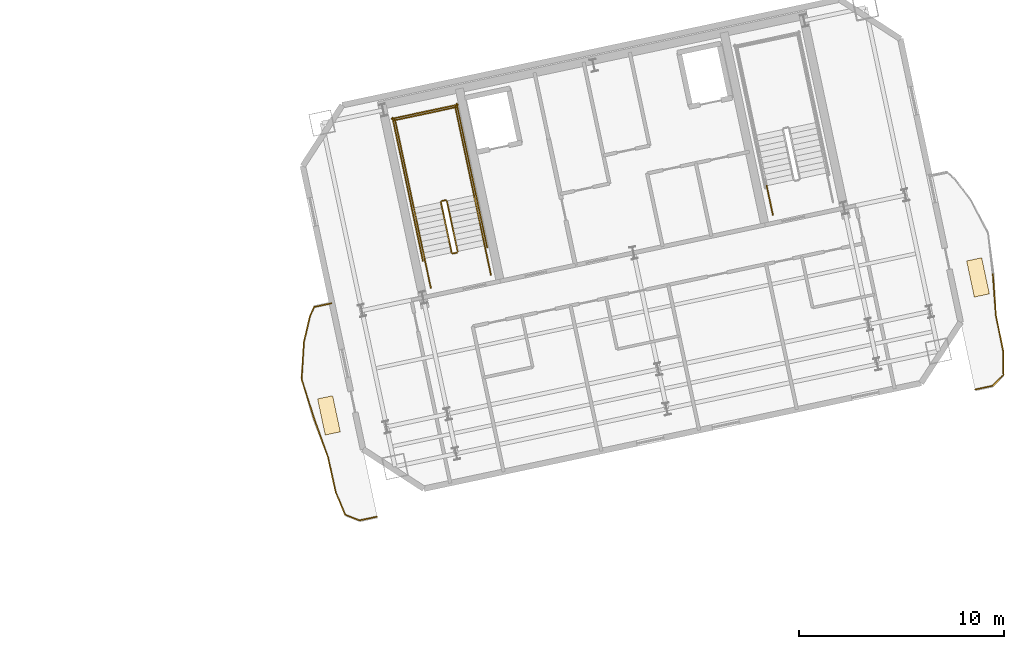
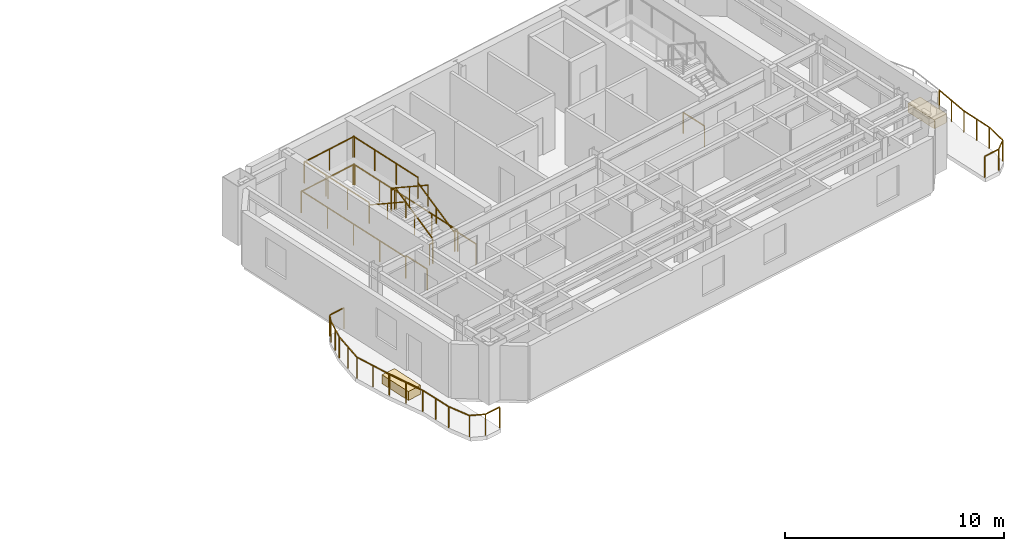
# One storey, part 13 of 14: 30 railings, 2 coverings.
"""IFC4 building model written with IfcOpenShell, lengths in metres."""

from ifc_helpers import new_model, si_unit, direction, frame, origin, origin_2d, place, context, subcontext, project, spatial, rectangle, extrude, material, layer, layer_set, type_object, element, save


model = new_model("IFC4")

# Units and contexts
model_context = context("Model", 3, precision=1e-05, world=origin(), true_north=direction((0.0, 1.0)))
body_context = subcontext(model_context, "Body", "Model", "MODEL_VIEW")
ifc_project = project(units=[si_unit("LENGTHUNIT", "METRE"), si_unit("AREAUNIT", "SQUARE_METRE"), si_unit("VOLUMEUNIT", "CUBIC_METRE"), si_unit("PLANEANGLEUNIT", "RADIAN"), si_unit("MASSUNIT", "GRAM", prefix="KILO")], contexts=[model_context])

# Site, building, storey
site_placement = place(None, origin())
site = spatial("IfcSite", under=ifc_project, at=site_placement, CompositionType="ELEMENT")
building_placement = place(site_placement, origin())
building = spatial("IfcBuilding", under=site, at=building_placement, Name="Haevon Station Towers", CompositionType="ELEMENT")
storey_placement = place(building_placement, frame((0.0, 0.0, 212.10009765625)))
storey = spatial("IfcBuildingStorey", under=building, at=storey_placement, Name="L58", CompositionType="ELEMENT", Elevation=212.10009765625)

# Railings
ifc_material_1 = material(Name="Steel S355", Category="steel")
railing_type_1 = type_object("IfcRailingType", Name="GRD-EXT1200", PredefinedType="GUARDRAIL", material=ifc_material_1)
railing_1_placement = place(storey_placement, frame((94.2890625, 37.16552734375, 0.0)))
element("IfcRailing", 1, at=railing_1_placement, inside=storey, type_object=railing_type_1, Name="L58 Perimeter Guardrail 1", PredefinedType="GUARDRAIL", context=body_context, shape_type="SweptSolid", body=[
    extrude(rectangle(XDim=0.048095703125, YDim=0.048095703125, at=origin_2d()), frame((0.0, 0.0, 1.17578125), z_axis=(-0.977695451476, -0.210027627141, 0.0), x_axis=(0.210027627141, -0.977695451476, 0.0)), (0.0, 0.0, 1.0), 0.869384765625),
    extrude(rectangle(XDim=0.0419921875, YDim=0.0419921875, at=origin_2d()), origin(), (0.0, 0.0, 1.0), 1.15185546875),
    extrude(rectangle(XDim=0.0419921875, YDim=0.0419921875, at=origin_2d()), frame((-0.85009765625, -0.1826171875, 0.0)), (0.0, 0.0, 1.0), 1.15185546875),
])
railing_2_placement = place(storey_placement, frame((93.43896484375, 36.98291015625, 0.0)))
element("IfcRailing", 2, at=railing_2_placement, inside=storey, type_object=railing_type_1, Name="L58 Perimeter Guardrail 2", PredefinedType="GUARDRAIL", context=body_context, shape_type="SweptSolid", body=[
    extrude(rectangle(XDim=0.048095703125, YDim=0.048095703125, at=origin_2d()), frame((0.0, 0.0, 1.17578125), z_axis=(-0.406806804169, -0.913514216683, 0.0), x_axis=(0.913514216683, -0.406806804169, 0.0)), (0.0, 0.0, 1.0), 0.50830078125),
    extrude(rectangle(XDim=0.0419921875, YDim=0.0419921875, at=origin_2d()), origin(), (0.0, 0.0, 1.0), 1.15185546875),
    extrude(rectangle(XDim=0.0419921875, YDim=0.0419921875, at=origin_2d()), frame((-0.206787109375, -0.46435546875, 0.0)), (0.0, 0.0, 1.0), 1.15185546875),
])
railing_3_placement = place(storey_placement, frame((93.232177734375, 36.5185546875, 0.0)))
element("IfcRailing", 3, at=railing_3_placement, inside=storey, type_object=railing_type_1, Name="L58 Perimeter Guardrail 3", PredefinedType="GUARDRAIL", context=body_context, shape_type="SweptSolid", body=[
    extrude(rectangle(XDim=0.048095703125, YDim=0.048095703125, at=origin_2d()), frame((0.0, 0.0, 1.17578125), z_axis=(-0.225867086442, -0.974158128469, 0.0), x_axis=(0.974158128469, -0.225867086442, 0.0)), (0.0, 0.0, 1.0), 1.291748046875),
    extrude(rectangle(XDim=0.0419921875, YDim=0.0419921875, at=origin_2d()), origin(), (0.0, 0.0, 1.0), 1.15185546875),
    extrude(rectangle(XDim=0.0419921875, YDim=0.0419921875, at=origin_2d()), frame((-0.14599609375, -0.629150390625, 0.0)), (0.0, 0.0, 1.0), 1.15185546875),
    extrude(rectangle(XDim=0.0419921875, YDim=0.0419921875, at=origin_2d()), frame((-0.291748046875, -1.25830078125, 0.0)), (0.0, 0.0, 1.0), 1.15185546875),
])
railing_4_placement = place(storey_placement, frame((92.9404296875, 35.26025390625, 0.0)))
element("IfcRailing", 4, at=railing_4_placement, inside=storey, type_object=railing_type_1, Name="L58 Perimeter Guardrail 4", PredefinedType="GUARDRAIL", context=body_context, shape_type="SweptSolid", body=[
    extrude(rectangle(XDim=0.048095703125, YDim=0.048095703125, at=origin_2d()), frame((0.0, 0.0, 1.17578125), z_axis=(-0.060153002189, -0.998189168609, 0.0), x_axis=(0.998189168609, -0.060153002189, 0.0)), (0.0, 0.0, 1.0), 1.81005859375),
    extrude(rectangle(XDim=0.0419921875, YDim=0.0419921875, at=origin_2d()), origin(), (0.0, 0.0, 1.0), 1.15185546875),
    extrude(rectangle(XDim=0.0419921875, YDim=0.0419921875, at=origin_2d()), frame((-0.054443359375, -0.9033203125, 0.0)), (0.0, 0.0, 1.0), 1.15185546875),
    extrude(rectangle(XDim=0.0419921875, YDim=0.0419921875, at=origin_2d()), frame((-0.10888671875, -1.806884765625, 0.0)), (0.0, 0.0, 1.0), 1.15185546875),
])
railing_5_placement = place(storey_placement, frame((92.83154296875, 33.453369140625, 0.0)))
element("IfcRailing", 5, at=railing_5_placement, inside=storey, type_object=railing_type_1, Name="L58 Perimeter Guardrail 5", PredefinedType="GUARDRAIL", context=body_context, shape_type="SweptSolid", body=[
    extrude(rectangle(XDim=0.048095703125, YDim=0.048095703125, at=origin_2d()), frame((0.0, 0.0, 1.17578125), z_axis=(0.302524668593, -0.953141555538, 0.0), x_axis=(0.953141555538, 0.302524668593, 0.0)), (0.0, 0.0, 1.0), 2.00390625),
    extrude(rectangle(XDim=0.0419921875, YDim=0.0419921875, at=origin_2d()), origin(), (0.0, 0.0, 1.0), 1.15185546875),
    extrude(rectangle(XDim=0.0419921875, YDim=0.0419921875, at=origin_2d()), frame((0.30322265625, -0.955078125, 0.0)), (0.0, 0.0, 1.0), 1.15185546875),
    extrude(rectangle(XDim=0.0419921875, YDim=0.0419921875, at=origin_2d()), frame((0.606201171875, -1.909912109375, 0.0)), (0.0, 0.0, 1.0), 1.15185546875),
])
railing_6_placement = place(storey_placement, frame((93.437744140625, 31.54345703125, 0.0)))
element("IfcRailing", 6, at=railing_6_placement, inside=storey, type_object=railing_type_1, Name="L58 Perimeter Guardrail 6", PredefinedType="GUARDRAIL", context=body_context, shape_type="SweptSolid", body=[
    extrude(rectangle(XDim=0.048095703125, YDim=0.048095703125, at=origin_2d()), frame((0.0, 0.0, 1.17578125), z_axis=(0.339231961265, -0.940702756696, 0.0), x_axis=(0.940702756696, 0.339231961265, 0.0)), (0.0, 0.0, 1.0), 2.00732421875),
    extrude(rectangle(XDim=0.0419921875, YDim=0.0419921875, at=origin_2d()), origin(), (0.0, 0.0, 1.0), 1.15185546875),
    extrude(rectangle(XDim=0.0419921875, YDim=0.0419921875, at=origin_2d()), frame((0.34033203125, -0.944091796875, 0.0)), (0.0, 0.0, 1.0), 1.15185546875),
    extrude(rectangle(XDim=0.0419921875, YDim=0.0419921875, at=origin_2d()), frame((0.680908203125, -1.88818359375, 0.0)), (0.0, 0.0, 1.0), 1.15185546875),
])
railing_7_placement = place(storey_placement, frame((94.11865234375, 29.6552734375, 0.0)))
element("IfcRailing", 7, at=railing_7_placement, inside=storey, type_object=railing_type_1, Name="L58 Perimeter Guardrail 7", PredefinedType="GUARDRAIL", context=body_context, shape_type="SweptSolid", body=[
    extrude(rectangle(XDim=0.048095703125, YDim=0.048095703125, at=origin_2d()), frame((0.0, 0.0, 1.17578125), z_axis=(0.215069312973, -0.976598786922, 0.0), x_axis=(0.976598786922, 0.215069312973, 0.0)), (0.0, 0.0, 1.0), 1.75048828125),
    extrude(rectangle(XDim=0.0419921875, YDim=0.0419921875, at=origin_2d()), origin(), (0.0, 0.0, 1.0), 1.15185546875),
    extrude(rectangle(XDim=0.0419921875, YDim=0.0419921875, at=origin_2d()), frame((0.188232421875, -0.854736328125, 0.0)), (0.0, 0.0, 1.0), 1.15185546875),
    extrude(rectangle(XDim=0.0419921875, YDim=0.0419921875, at=origin_2d()), frame((0.37646484375, -1.70947265625, 0.0)), (0.0, 0.0, 1.0), 1.15185546875),
])
railing_8_placement = place(storey_placement, frame((94.4951171875, 27.94580078125, 0.0)))
element("IfcRailing", 8, at=railing_8_placement, inside=storey, type_object=railing_type_1, Name="L58 Perimeter Guardrail 8", PredefinedType="GUARDRAIL", context=body_context, shape_type="SweptSolid", body=[
    extrude(rectangle(XDim=0.048095703125, YDim=0.048095703125, at=origin_2d()), frame((0.0, 0.0, 1.17578125), z_axis=(0.389860525795, -0.920873916683, 0.0), x_axis=(0.920873916683, 0.389860525795, 0.0)), (0.0, 0.0, 1.0), 1.191650390625),
    extrude(rectangle(XDim=0.0419921875, YDim=0.0419921875, at=origin_2d()), origin(), (0.0, 0.0, 1.0), 1.15185546875),
    extrude(rectangle(XDim=0.0419921875, YDim=0.0419921875, at=origin_2d()), frame((0.464599609375, -1.097412109375, 0.0)), (0.0, 0.0, 1.0), 1.15185546875),
])
railing_9_placement = place(storey_placement, frame((94.959716796875, 26.848388671875, 0.0)))
element("IfcRailing", 9, at=railing_9_placement, inside=storey, type_object=railing_type_1, Name="L58 Perimeter Guardrail 9", PredefinedType="GUARDRAIL", context=body_context, shape_type="SweptSolid", body=[
    extrude(rectangle(XDim=0.048095703125, YDim=0.048095703125, at=origin_2d()), frame((0.0, 0.0, 1.17578125), z_axis=(0.929918939499, -0.367764552344, 0.0), x_axis=(0.367764552344, 0.929918939499, 0.0)), (0.0, 0.0, 1.0), 0.743408203125),
    extrude(rectangle(XDim=0.0419921875, YDim=0.0419921875, at=origin_2d()), origin(), (0.0, 0.0, 1.0), 1.15185546875),
    extrude(rectangle(XDim=0.0419921875, YDim=0.0419921875, at=origin_2d()), frame((0.69140625, -0.2734375, 0.0)), (0.0, 0.0, 1.0), 1.15185546875),
])
railing_10_placement = place(storey_placement, frame((95.651123046875, 26.574951171875, 0.0)))
element("IfcRailing", 10, at=railing_10_placement, inside=storey, type_object=railing_type_1, Name="L58 Perimeter Guardrail 10", PredefinedType="GUARDRAIL", context=body_context, shape_type="SweptSolid", body=[
    extrude(rectangle(XDim=0.048095703125, YDim=0.048095703125, at=origin_2d()), frame((0.0, 0.0, 1.17578125), z_axis=(0.978588498747, 0.205826504901, 0.0), x_axis=(-0.205826504901, 0.978588498747, 0.0)), (0.0, 0.0, 1.0), 0.869384765625),
    extrude(rectangle(XDim=0.0419921875, YDim=0.0419921875, at=origin_2d()), origin(), (0.0, 0.0, 1.0), 1.15185546875),
    extrude(rectangle(XDim=0.0419921875, YDim=0.0419921875, at=origin_2d()), frame((0.850830078125, 0.178955078125, 0.0)), (0.0, 0.0, 1.0), 1.15185546875),
])
railing_11_placement = place(storey_placement, frame((125.69677734375, 32.959228515625, 0.0)))
element("IfcRailing", 11, at=railing_11_placement, inside=storey, type_object=railing_type_1, Name="L58 Perimeter Guardrail 1", PredefinedType="GUARDRAIL", context=body_context, shape_type="SweptSolid", body=[
    extrude(rectangle(XDim=0.048095703125, YDim=0.048095703125, at=origin_2d()), frame((0.0, 0.0, 1.17578125), z_axis=(0.977625338711, 0.210353742802, 0.0), x_axis=(-0.210353742802, 0.977625338711, 0.0)), (0.0, 0.0, 1.0), 0.869384765625),
    extrude(rectangle(XDim=0.0419921875, YDim=0.0419921875, at=origin_2d()), origin(), (0.0, 0.0, 1.0), 1.15185546875),
    extrude(rectangle(XDim=0.0419921875, YDim=0.0419921875, at=origin_2d()), frame((0.849853515625, 0.182861328125, 0.0)), (0.0, 0.0, 1.0), 1.15185546875),
])
railing_12_placement = place(storey_placement, frame((126.546630859375, 33.14208984375, 0.0)))
element("IfcRailing", 12, at=railing_12_placement, inside=storey, type_object=railing_type_1, Name="L58 Perimeter Guardrail 2", PredefinedType="GUARDRAIL", context=body_context, shape_type="SweptSolid", body=[
    extrude(rectangle(XDim=0.048095703125, YDim=0.048095703125, at=origin_2d()), frame((0.0, 0.0, 1.17578125), z_axis=(0.700176474899, 0.713969820089, 0.0), x_axis=(-0.713969820089, 0.700176474899, 0.0)), (0.0, 0.0, 1.0), 0.743408203125),
    extrude(rectangle(XDim=0.0419921875, YDim=0.0419921875, at=origin_2d()), origin(), (0.0, 0.0, 1.0), 1.15185546875),
    extrude(rectangle(XDim=0.0419921875, YDim=0.0419921875, at=origin_2d()), frame((0.5205078125, 0.53076171875, 0.0)), (0.0, 0.0, 1.0), 1.15185546875),
])
railing_13_placement = place(storey_placement, frame((127.067138671875, 33.6728515625, 0.0)))
element("IfcRailing", 13, at=railing_13_placement, inside=storey, type_object=railing_type_1, Name="L58 Perimeter Guardrail 3", PredefinedType="GUARDRAIL", context=body_context, shape_type="SweptSolid", body=[
    extrude(rectangle(XDim=0.048095703125, YDim=0.048095703125, at=origin_2d()), frame((0.0, 0.0, 1.17578125), z_axis=(-0.018435710778, 0.999830047842, 0.0), x_axis=(-0.999830047842, -0.018435710778, 0.0)), (0.0, 0.0, 1.0), 1.19189453125),
    extrude(rectangle(XDim=0.0419921875, YDim=0.0419921875, at=origin_2d()), origin(), (0.0, 0.0, 1.0), 1.15185546875),
    extrude(rectangle(XDim=0.0419921875, YDim=0.0419921875, at=origin_2d()), frame((-0.02197265625, 1.191650390625, 0.0)), (0.0, 0.0, 1.0), 1.15185546875),
])
railing_14_placement = place(storey_placement, frame((127.045166015625, 34.864501953125, 0.0)))
element("IfcRailing", 14, at=railing_14_placement, inside=storey, type_object=railing_type_1, Name="L58 Perimeter Guardrail 4", PredefinedType="GUARDRAIL", context=body_context, shape_type="SweptSolid", body=[
    extrude(rectangle(XDim=0.048095703125, YDim=0.048095703125, at=origin_2d()), frame((0.0, 0.0, 1.17578125), z_axis=(-0.200700479152, 0.979652651539, 0.0), x_axis=(-0.979652651539, -0.200700479152, 0.0)), (0.0, 0.0, 1.0), 1.75048828125),
    extrude(rectangle(XDim=0.0419921875, YDim=0.0419921875, at=origin_2d()), origin(), (0.0, 0.0, 1.0), 1.15185546875),
    extrude(rectangle(XDim=0.0419921875, YDim=0.0419921875, at=origin_2d()), frame((-0.17578125, 0.857421875, 0.0)), (0.0, 0.0, 1.0), 1.15185546875),
    extrude(rectangle(XDim=0.0419921875, YDim=0.0419921875, at=origin_2d()), frame((-0.351318359375, 1.71484375, 0.0)), (0.0, 0.0, 1.0), 1.15185546875),
])
railing_15_placement = place(storey_placement, frame((126.69384765625, 36.579345703125, 0.0)))
element("IfcRailing", 15, at=railing_15_placement, inside=storey, type_object=railing_type_1, Name="L58 Perimeter Guardrail 5", PredefinedType="GUARDRAIL", context=body_context, shape_type="SweptSolid", body=[
    extrude(rectangle(XDim=0.048095703125, YDim=0.048095703125, at=origin_2d()), frame((0.0, 0.0, 1.17578125), z_axis=(-0.072733675174, 0.997351398703, 0.0), x_axis=(-0.997351398703, -0.072733675174, 0.0)), (0.0, 0.0, 1.0), 2.00732421875),
    extrude(rectangle(XDim=0.0419921875, YDim=0.0419921875, at=origin_2d()), origin(), (0.0, 0.0, 1.0), 1.15185546875),
    extrude(rectangle(XDim=0.0419921875, YDim=0.0419921875, at=origin_2d()), frame((-0.072998046875, 1.0009765625, 0.0)), (0.0, 0.0, 1.0), 1.15185546875),
    extrude(rectangle(XDim=0.0419921875, YDim=0.0419921875, at=origin_2d()), frame((-0.14599609375, 2.001953125, 0.0)), (0.0, 0.0, 1.0), 1.15185546875),
])
railing_type_2 = type_object("IfcRailingType", Name="GRD-STR1200", PredefinedType="GUARDRAIL", material=ifc_material_1)
railing_16_placement = place(storey_placement, frame((100.44140625, 39.69287109375, 0.164794921875)))
element("IfcRailing", 16, at=railing_16_placement, inside=storey, type_object=railing_type_2, Name="L58 ST3 Stair Guard 1", PredefinedType="GUARDRAIL", context=body_context, shape_type="SweptSolid", body=[
    extrude(rectangle(XDim=0.048095703125, YDim=0.048095703125, at=origin_2d()), frame((0.0, 0.0, 1.17578125), z_axis=(-0.179121265225, 0.842687928106, 0.507732831485), x_axis=(-0.978147030254, -0.207914374695, 0.0)), (0.0, 0.0, 1.0), 2.925048828125),
    extrude(rectangle(XDim=0.0419921875, YDim=0.0419921875, at=origin_2d()), origin(), (0.0, 0.0, 1.0), 1.15185546875),
    extrude(rectangle(XDim=0.0419921875, YDim=0.0419921875, at=origin_2d()), frame((-0.261962890625, 1.232421875, 0.74267578125)), (0.0, 0.0, 1.0), 1.15185546875),
    extrude(rectangle(XDim=0.0419921875, YDim=0.0419921875, at=origin_2d()), frame((-0.52392578125, 2.46484375, 1.485107421875)), (0.0, 0.0, 1.0), 1.15185546875),
])
railing_17_placement = place(storey_placement, frame((99.858154296875, 42.1962890625, 1.64990234375)))
element("IfcRailing", 17, at=railing_17_placement, inside=storey, type_object=railing_type_2, Name="L58 ST3 Stair Guard 2", PredefinedType="GUARDRAIL", context=body_context, shape_type="SweptSolid", body=[
    extrude(rectangle(XDim=0.048095703125, YDim=0.048095703125, at=origin_2d()), frame((0.0, 0.0, 1.17578125), z_axis=(-0.977962931203, -0.208778603291, 0.0), x_axis=(0.208778603291, -0.977962931203, 0.0)), (0.0, 0.0, 1.0), 0.199951171875),
    extrude(rectangle(XDim=0.0419921875, YDim=0.0419921875, at=origin_2d()), origin(), (0.0, 0.0, 1.0), 1.15185546875),
    extrude(rectangle(XDim=0.0419921875, YDim=0.0419921875, at=origin_2d()), frame((-0.195556640625, -0.041748046875, 0.0)), (0.0, 0.0, 1.0), 1.15185546875),
])
railing_18_placement = place(storey_placement, frame((101.238037109375, 42.4384765625, 1.64990234375)))
element("IfcRailing", 18, at=railing_18_placement, inside=storey, type_object=railing_type_2, Name="L58 ST3 Stair Guard 3", PredefinedType="GUARDRAIL", context=body_context, shape_type="SweptSolid", body=[
    extrude(rectangle(XDim=0.048095703125, YDim=0.048095703125, at=origin_2d()), frame((0.0, 0.0, 1.17578125), z_axis=(-0.20794048909, 0.978141479029, 0.0), x_axis=(-0.978141479029, -0.20794048909, 0.0)), (0.0, 0.0, 1.0), 4.429931640625),
    extrude(rectangle(XDim=0.0419921875, YDim=0.0419921875, at=origin_2d()), origin(), (0.0, 0.0, 1.0), 1.15185546875),
    extrude(rectangle(XDim=0.0419921875, YDim=0.0419921875, at=origin_2d()), frame((-0.30712890625, 1.4443359375, 0.0)), (0.0, 0.0, 1.0), 1.15185546875),
    extrude(rectangle(XDim=0.0419921875, YDim=0.0419921875, at=origin_2d()), frame((-0.614013671875, 2.888671875, 0.0)), (0.0, 0.0, 1.0), 1.15185546875),
    extrude(rectangle(XDim=0.0419921875, YDim=0.0419921875, at=origin_2d()), frame((-0.921142578125, 4.3330078125, 0.0)), (0.0, 0.0, 1.0), 1.15185546875),
])
railing_19_placement = place(storey_placement, frame((98.303466796875, 41.814697265625, 1.64990234375)))
element("IfcRailing", 19, at=railing_19_placement, inside=storey, type_object=railing_type_2, Name="L58 ST3 Stair Guard 4", PredefinedType="GUARDRAIL", context=body_context, shape_type="SweptSolid", body=[
    extrude(rectangle(XDim=0.048095703125, YDim=0.048095703125, at=origin_2d()), frame((0.0, 0.0, 1.17578125), z_axis=(-0.207876551949, 0.978155069071, 0.0), x_axis=(-0.978155069071, -0.207876551949, 0.0)), (0.0, 0.0, 1.0), 4.429931640625),
    extrude(rectangle(XDim=0.0419921875, YDim=0.0419921875, at=origin_2d()), origin(), (0.0, 0.0, 1.0), 1.15185546875),
    extrude(rectangle(XDim=0.0419921875, YDim=0.0419921875, at=origin_2d()), frame((-0.306884765625, 1.4443359375, 0.0)), (0.0, 0.0, 1.0), 1.15185546875),
    extrude(rectangle(XDim=0.0419921875, YDim=0.0419921875, at=origin_2d()), frame((-0.614013671875, 2.888916015625, 0.0)), (0.0, 0.0, 1.0), 1.15185546875),
    extrude(rectangle(XDim=0.0419921875, YDim=0.0419921875, at=origin_2d()), frame((-0.9208984375, 4.333251953125, 0.0)), (0.0, 0.0, 1.0), 1.15185546875),
])
railing_20_placement = place(storey_placement, frame((100.376220703125, 46.733154296875, 1.64990234375)))
element("IfcRailing", 20, at=railing_20_placement, inside=storey, type_object=railing_type_2, Name="L58 ST3 Stair Guard 5", PredefinedType="GUARDRAIL", context=body_context, shape_type="SweptSolid", body=[
    extrude(rectangle(XDim=0.048095703125, YDim=0.048095703125, at=origin_2d()), frame((0.0, 0.0, 1.17578125), z_axis=(-0.978146839882, -0.207915270313, 0.0), x_axis=(0.207915270313, -0.978146839882, 0.0)), (0.0, 0.0, 1.0), 3.099853515625),
    extrude(rectangle(XDim=0.0419921875, YDim=0.0419921875, at=origin_2d()), origin(), (0.0, 0.0, 1.0), 1.15185546875),
    extrude(rectangle(XDim=0.0419921875, YDim=0.0419921875, at=origin_2d()), frame((-1.51611328125, -0.322265625, 0.0)), (0.0, 0.0, 1.0), 1.15185546875),
    extrude(rectangle(XDim=0.0419921875, YDim=0.0419921875, at=origin_2d()), frame((-3.0322265625, -0.64453125, 0.0)), (0.0, 0.0, 1.0), 1.15185546875),
])
railing_21_placement = place(storey_placement, frame((99.6240234375, 42.09521484375, 1.81494140625)))
element("IfcRailing", 21, at=railing_21_placement, inside=storey, type_object=railing_type_2, Name="L58 ST3 Stair Guard 6", PredefinedType="GUARDRAIL", context=body_context, shape_type="SweptSolid", body=[
    extrude(rectangle(XDim=0.048095703125, YDim=0.048095703125, at=origin_2d()), frame((0.0, 0.0, 1.17578125), z_axis=(0.179128856099, -0.842723639875, 0.507670877349), x_axis=(0.978147030254, 0.207914374695, 0.0)), (0.0, 0.0, 1.0), 2.9248046875),
    extrude(rectangle(XDim=0.0419921875, YDim=0.0419921875, at=origin_2d()), origin(), (0.0, 0.0, 1.0), 1.15185546875),
    extrude(rectangle(XDim=0.0419921875, YDim=0.0419921875, at=origin_2d()), frame((0.261962890625, -1.232421875, 0.742431640625)), (0.0, 0.0, 1.0), 1.15185546875),
    extrude(rectangle(XDim=0.0419921875, YDim=0.0419921875, at=origin_2d()), frame((0.52392578125, -2.46484375, 1.48486328125)), (0.0, 0.0, 1.0), 1.15185546875),
])
railing_22_placement = place(storey_placement, frame((100.40283203125, 39.633544921875, 0.0)))
element("IfcRailing", 22, at=railing_22_placement, inside=storey, type_object=railing_type_2, Name="L58 ST3 Stair Guard 7", PredefinedType="GUARDRAIL", context=body_context, shape_type="SweptSolid", body=[
    extrude(rectangle(XDim=0.048095703125, YDim=0.048095703125, at=origin_2d()), frame((0.0, 0.0, 1.17578125), z_axis=(-0.977962931203, -0.208778603291, 0.0), x_axis=(0.208778603291, -0.977962931203, 0.0)), (0.0, 0.0, 1.0), 0.199951171875),
    extrude(rectangle(XDim=0.0419921875, YDim=0.0419921875, at=origin_2d()), origin(), (0.0, 0.0, 1.0), 1.15185546875),
    extrude(rectangle(XDim=0.0419921875, YDim=0.0419921875, at=origin_2d()), frame((-0.195556640625, -0.041748046875, 0.0)), (0.0, 0.0, 1.0), 1.15185546875),
])
for number, where, name in (
    (23, (102.0634765625, 38.55517578125, 0.0), "L58 ST3 Stair Guard 8"),
    (24, (99.12890625, 37.931396484375, 0.0), "L58 ST3 Stair Guard 9"),
):
    element("IfcRailing", number, at=place(storey_placement, frame(where)), inside=storey, type_object=railing_type_2, Name=name, PredefinedType="GUARDRAIL", context=body_context, shape_type="SweptSolid", body=[
        extrude(rectangle(XDim=0.048095703125, YDim=0.048095703125, at=origin_2d()), frame((0.0, 0.0, 1.17578125), z_axis=(-0.207953405961, 0.978138732977, 0.0), x_axis=(-0.978138732977, -0.207953405961, 0.0)), (0.0, 0.0, 1.0), 1.449951171875),
        extrude(rectangle(XDim=0.0419921875, YDim=0.0419921875, at=origin_2d()), origin(), (0.0, 0.0, 1.0), 1.15185546875),
        extrude(rectangle(XDim=0.0419921875, YDim=0.0419921875, at=origin_2d()), frame((-0.301513671875, 1.418212890625, 0.0)), (0.0, 0.0, 1.0), 1.15185546875),
    ])
railing_23_placement = place(storey_placement, frame((101.88037109375, 39.896484375, 0.0)))
element("IfcRailing", 25, at=railing_23_placement, inside=storey, type_object=railing_type_2, Name="L58 ST3 Stair Guard 10", PredefinedType="GUARDRAIL", context=body_context, shape_type="SweptSolid", body=[
    extrude(rectangle(XDim=0.048095703125, YDim=0.048095703125, at=origin_2d()), frame((0.0, 0.0, 1.17578125), z_axis=(-0.207882442208, 0.978153817261, 0.0), x_axis=(-0.978153817261, -0.207882442208, 0.0)), (0.0, 0.0, 1.0), 7.14990234375),
    extrude(rectangle(XDim=0.0419921875, YDim=0.0419921875, at=origin_2d()), origin(), (0.0, 0.0, 1.0), 1.15185546875),
    extrude(rectangle(XDim=0.0419921875, YDim=0.0419921875, at=origin_2d()), frame((-0.37158203125, 1.74853515625, 0.0)), (0.0, 0.0, 1.0), 1.15185546875),
    extrude(rectangle(XDim=0.0419921875, YDim=0.0419921875, at=origin_2d()), frame((-0.7431640625, 3.496826171875, 0.0)), (0.0, 0.0, 1.0), 1.15185546875),
    extrude(rectangle(XDim=0.0419921875, YDim=0.0419921875, at=origin_2d()), frame((-1.11474609375, 5.2451171875, 0.0)), (0.0, 0.0, 1.0), 1.15185546875),
    extrude(rectangle(XDim=0.0419921875, YDim=0.0419921875, at=origin_2d()), frame((-1.486328125, 6.99365234375, 0.0)), (0.0, 0.0, 1.0), 1.15185546875),
])
railing_24_placement = place(storey_placement, frame((98.75048828125, 39.231201171875, 0.0)))
element("IfcRailing", 26, at=railing_24_placement, inside=storey, type_object=railing_type_2, Name="L58 ST3 Stair Guard 11", PredefinedType="GUARDRAIL", context=body_context, shape_type="SweptSolid", body=[
    extrude(rectangle(XDim=0.048095703125, YDim=0.048095703125, at=origin_2d()), frame((0.0, 0.0, 1.17578125), z_axis=(-0.207915112487, 0.978146873429, 0.0), x_axis=(-0.978146873429, -0.207915112487, 0.0)), (0.0, 0.0, 1.0), 7.14990234375),
    extrude(rectangle(XDim=0.0419921875, YDim=0.0419921875, at=origin_2d()), origin(), (0.0, 0.0, 1.0), 1.15185546875),
    extrude(rectangle(XDim=0.0419921875, YDim=0.0419921875, at=origin_2d()), frame((-0.37158203125, 1.74853515625, 0.0)), (0.0, 0.0, 1.0), 1.15185546875),
    extrude(rectangle(XDim=0.0419921875, YDim=0.0419921875, at=origin_2d()), frame((-0.7431640625, 3.496826171875, 0.0)), (0.0, 0.0, 1.0), 1.15185546875),
    extrude(rectangle(XDim=0.0419921875, YDim=0.0419921875, at=origin_2d()), frame((-1.114990234375, 5.2451171875, 0.0)), (0.0, 0.0, 1.0), 1.15185546875),
    extrude(rectangle(XDim=0.0419921875, YDim=0.0419921875, at=origin_2d()), frame((-1.486572265625, 6.99365234375, 0.0)), (0.0, 0.0, 1.0), 1.15185546875),
])
railing_25_placement = place(storey_placement, frame((100.453125, 46.8515625, 0.0)))
element("IfcRailing", 27, at=railing_25_placement, inside=storey, type_object=railing_type_2, Name="L58 ST3 Stair Guard 12", PredefinedType="GUARDRAIL", context=body_context, shape_type="SweptSolid", body=[
    extrude(rectangle(XDim=0.048095703125, YDim=0.048095703125, at=origin_2d()), frame((0.0, 0.0, 1.17578125), z_axis=(-0.978150764849, -0.207896804268, 0.0), x_axis=(0.207896804268, -0.978150764849, 0.0)), (0.0, 0.0, 1.0), 3.2998046875),
    extrude(rectangle(XDim=0.0419921875, YDim=0.0419921875, at=origin_2d()), origin(), (0.0, 0.0, 1.0), 1.15185546875),
    extrude(rectangle(XDim=0.0419921875, YDim=0.0419921875, at=origin_2d()), frame((-1.61376953125, -0.343017578125, 0.0)), (0.0, 0.0, 1.0), 1.15185546875),
    extrude(rectangle(XDim=0.0419921875, YDim=0.0419921875, at=origin_2d()), frame((-3.227783203125, -0.68603515625, 0.0)), (0.0, 0.0, 1.0), 1.15185546875),
])
railing_26_placement = place(storey_placement, frame((115.816162109375, 41.478271484375, 0.0)))
element("IfcRailing", 28, at=railing_26_placement, inside=storey, type_object=railing_type_2, Name="L58 ST4 Stair Guard 9", PredefinedType="GUARDRAIL", context=body_context, shape_type="SweptSolid", body=[
    extrude(rectangle(XDim=0.048095703125, YDim=0.048095703125, at=origin_2d()), frame((0.0, 0.0, 1.17578125), z_axis=(-0.207919161079, 0.978146012851, 0.0), x_axis=(-0.978146012851, -0.207919161079, 0.0)), (0.0, 0.0, 1.0), 1.4501953125),
    extrude(rectangle(XDim=0.0419921875, YDim=0.0419921875, at=origin_2d()), origin(), (0.0, 0.0, 1.0), 1.15185546875),
    extrude(rectangle(XDim=0.0419921875, YDim=0.0419921875, at=origin_2d()), frame((-0.301513671875, 1.41845703125, 0.0)), (0.0, 0.0, 1.0), 1.15185546875),
])
railing_type_3 = type_object("IfcRailingType", Name="HND-STR900", PredefinedType="HANDRAIL", material=ifc_material_1)
railing_27_placement = place(storey_placement, frame((101.761962890625, 39.973388671875, 0.164794921875)))
element("IfcRailing", 29, at=railing_27_placement, inside=storey, type_object=railing_type_3, Name="L58 ST3 Stair Handrail 1", PredefinedType="HANDRAIL", context=body_context, shape_type="SweptSolid", body=[
    extrude(rectangle(XDim=0.048095703125, YDim=0.048095703125, at=origin_2d()), frame((0.0, 0.0, 0.8759765625), z_axis=(-0.179108667068, 0.842712120868, 0.50769712105), x_axis=(-0.978151217824, -0.207894673017, 0.0)), (0.0, 0.0, 1.0), 2.92529296875),
    extrude(rectangle(XDim=0.0419921875, YDim=0.0419921875, at=origin_2d()), origin(), (0.0, 0.0, 1.0), 0.851806640625),
    extrude(rectangle(XDim=0.0419921875, YDim=0.0419921875, at=origin_2d()), frame((-0.261962890625, 1.232421875, 0.74267578125)), (0.0, 0.0, 1.0), 0.851806640625),
    extrude(rectangle(XDim=0.0419921875, YDim=0.0419921875, at=origin_2d()), frame((-0.52392578125, 2.465087890625, 1.485107421875)), (0.0, 0.0, 1.0), 0.851806640625),
])
railing_28_placement = place(storey_placement, frame((98.303466796875, 41.814697265625, 1.81494140625)))
element("IfcRailing", 30, at=railing_28_placement, inside=storey, type_object=railing_type_3, Name="L58 ST3 Stair Handrail 2", PredefinedType="HANDRAIL", context=body_context, shape_type="SweptSolid", body=[
    extrude(rectangle(XDim=0.048095703125, YDim=0.048095703125, at=origin_2d()), frame((0.0, 0.0, 0.8759765625), z_axis=(0.179116256339, -0.842747828638, 0.507635168246), x_axis=(0.978151217824, 0.207894673017, 0.0)), (0.0, 0.0, 1.0), 2.925048828125),
    extrude(rectangle(XDim=0.0419921875, YDim=0.0419921875, at=origin_2d()), origin(), (0.0, 0.0, 1.0), 0.851806640625),
    extrude(rectangle(XDim=0.0419921875, YDim=0.0419921875, at=origin_2d()), frame((0.261962890625, -1.232421875, 0.742431640625)), (0.0, 0.0, 1.0), 0.851806640625),
    extrude(rectangle(XDim=0.0419921875, YDim=0.0419921875, at=origin_2d()), frame((0.52392578125, -2.465087890625, 1.48486328125)), (0.0, 0.0, 1.0), 0.851806640625),
])

# Coverings
ifc_material_2 = material(Name="Architectural planter GRC", Category="concrete")
ifc_layer = layer(ifc_material_2, 0.550048828125)
ifc_layer_set = layer_set([ifc_layer], Name="Architectural planter GRC")
covering_type = type_object("IfcCoveringType", Name="PLN-GRC550", PredefinedType="MOLDING", material=ifc_layer_set)
for number, where, z_axis, x_axis, name in (
    (31, (94.1630859375, 31.69775390625, 0.0), (0.0, 0.0, 1.0), (0.978147600734, 0.207911690818, 0.0), "Tower 2 L58 Scalloped Balcony PLANTER"),
    (32, (125.822509765625, 38.427001953125, 0.0), (0.0, 0.0, 1.0), (0.978147600734, 0.207911690818, 0.0), "Tower 2 L58 Scalloped Balcony PLANTER"),
):
    element("IfcCovering", number, at=place(storey_placement, frame(where, z_axis=z_axis, x_axis=x_axis)), inside=storey, type_object=covering_type, Name=name, PredefinedType="MOLDING", context=body_context, shape_type="SweptSolid", body=[
        extrude(rectangle(XDim=0.75, YDim=1.800048828125, at=origin_2d()), origin(), (0.0, 0.0, 1.0), 0.5),
    ])

save(model, "model.ifc")
